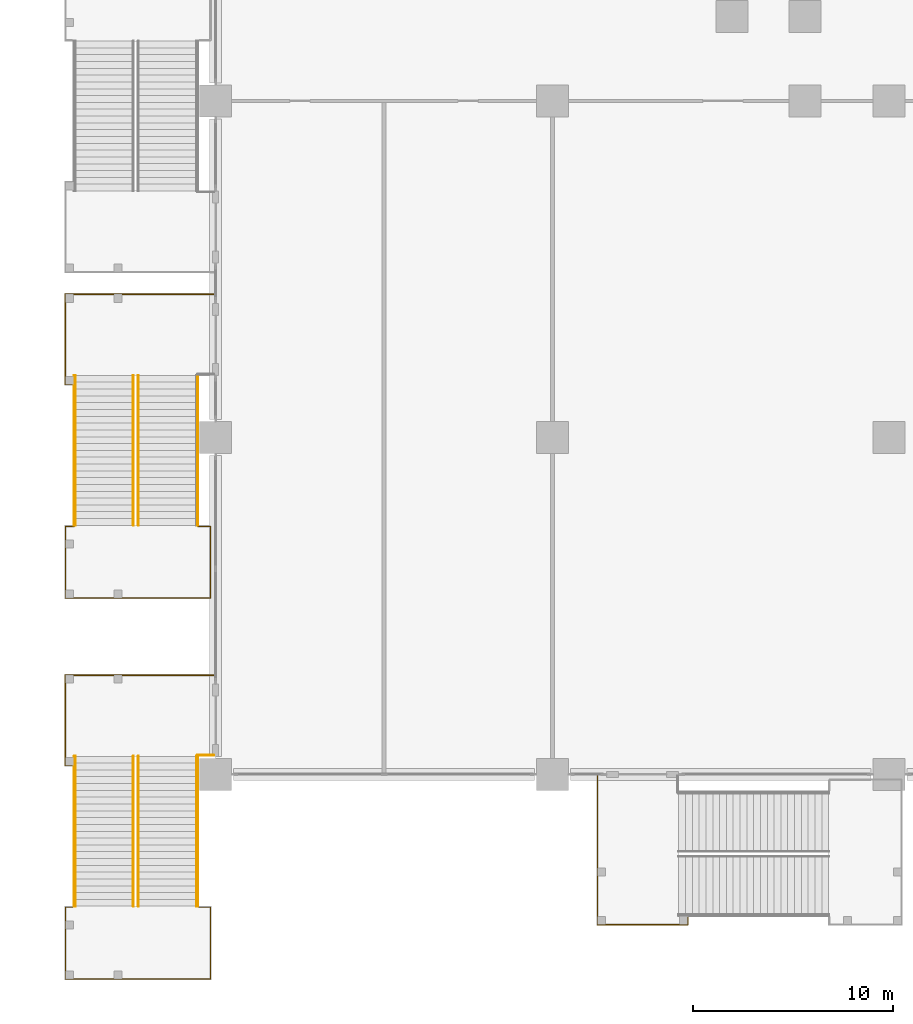
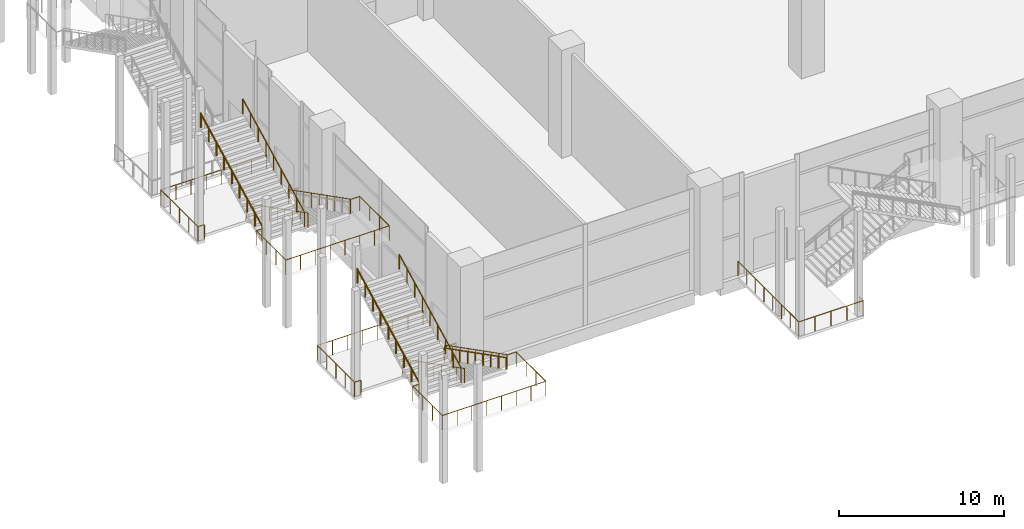
# One storey, part 38 of 52: 17 railings.
"""IFC4 building model written with IfcOpenShell, lengths in metres."""

import ifcopenshell
import ifcopenshell.guid

model = None  # the IFC model being written
_history = None  # IfcOwnerHistory: only IFC2X3 demands one
_inside = {}  # id of a spatial element -> (the spatial element, [elements in it])
_under = {}  # id of a project, library or spatial element -> (it, [spatial elements below it])
_declared = {}  # id of a project -> (the project, [libraries it declares])
_typed = {}  # id of a type object -> (the type object, [elements of that type])
_made_of = {}  # id of a material, layer set ... -> (it, [elements and type objects made of it])


def new_model(schema):
    """Start an empty IFC model of exactly this schema.

    Asked for "IFC4X3", IfcOpenShell would pick the latest addendum, in which some entities
    have other attributes; the version numbers below select the first issue.
    IFC2X3 requires an IfcOwnerHistory on every rooted entity: one is made here for all.
    """
    global model, _history
    if schema == "IFC4X3":
        model = ifcopenshell.file(schema_version=(4, 3, 0, 0))
    else:
        model = ifcopenshell.file(schema=schema)
    _inside.clear()
    _under.clear()
    _declared.clear()
    _typed.clear()
    _made_of.clear()
    _history = None
    if model.schema == "IFC2X3":
        org = make("IfcOrganization", Name="unknown")
        user = make(
            "IfcPersonAndOrganization",
            ThePerson=make("IfcPerson", FamilyName="unknown"),
            TheOrganization=org,
        )
        app = make(
            "IfcApplication",
            ApplicationDeveloper=org,
            Version="unknown",
            ApplicationFullName="unknown",
            ApplicationIdentifier="unknown",
        )
        _history = make(
            "IfcOwnerHistory",
            OwningUser=user,
            OwningApplication=app,
            ChangeAction="ADDED",
            CreationDate=0,
        )
    return model


def make(cls, **values):
    """One entity of the class cls with the attributes given. An attribute that is None is left unset."""
    return model.create_entity(
        cls, **{name: value for name, value in values.items() if value is not None}
    )


def rooted(cls, **values):
    """An entity with a GlobalId (a new one), such as an element, a storey or a relation."""
    return make(cls, GlobalId=ifcopenshell.guid.new(), OwnerHistory=_history, **values)


def si_unit(unit_type, name, prefix=None):
    """IfcSIUnit, for example si_unit("LENGTHUNIT", "METRE", prefix="MILLI")."""
    return make("IfcSIUnit", UnitType=unit_type, Prefix=prefix, Name=name)


def assignment(units):
    """IfcUnitAssignment: the units of a project."""
    return None if units is None else make("IfcUnitAssignment", Units=units)


def point(xyz):
    """IfcCartesianPoint."""
    return None if xyz is None else make("IfcCartesianPoint", Coordinates=xyz)


def direction(xyz):
    """IfcDirection."""
    return None if xyz is None else make("IfcDirection", DirectionRatios=xyz)


def frame(location, z_axis=None, x_axis=None):
    """IfcAxis2Placement3D, a coordinate frame: its origin and axes. An axis left out is left unset."""
    return make(
        "IfcAxis2Placement3D",
        Location=point(location),
        Axis=direction(z_axis),
        RefDirection=direction(x_axis),
    )


def frame_2d(location, x_axis=None):
    """IfcAxis2Placement2D, a coordinate frame in the plane: its origin and x axis."""
    return make(
        "IfcAxis2Placement2D", Location=point(location), RefDirection=direction(x_axis)
    )


def origin():
    """The frame at (0, 0, 0) with its axes left unset."""
    return frame((0.0, 0.0, 0.0))


def origin_2d():
    """The frame at (0, 0) in the plane with its x axis left unset."""
    return frame_2d((0.0, 0.0))


def place(relative_to, where):
    """IfcLocalPlacement: puts the frame where relative to a parent placement (None: the world)."""
    return make(
        "IfcLocalPlacement", PlacementRelTo=relative_to, RelativePlacement=where
    )


def context(
    kind, dimensions, precision=None, world=None, true_north=None, identifier=None
):
    """IfcGeometricRepresentationContext, for example the 3D "Model" context."""
    return make(
        "IfcGeometricRepresentationContext",
        ContextIdentifier=identifier,
        ContextType=kind,
        CoordinateSpaceDimension=dimensions,
        Precision=precision,
        WorldCoordinateSystem=world,
        TrueNorth=true_north,
    )


def subcontext(parent, identifier, kind, view, scale=None):
    """IfcGeometricRepresentationSubContext, for example "Body" below "Model"."""
    return make(
        "IfcGeometricRepresentationSubContext",
        ContextIdentifier=identifier,
        ContextType=kind,
        ParentContext=parent,
        TargetScale=scale,
        TargetView=view,
    )


def project(units=None, contexts=None):
    """IfcProject with its units and contexts."""
    return rooted(
        "IfcProject",
        Name="project",
        RepresentationContexts=contexts,
        UnitsInContext=assignment(units),
    )


def spatial(cls, under=None, at=None, **own):
    """A site, building, storey or space (cls), placed at a placement, below another one or the project."""
    s = rooted(cls, ObjectPlacement=at, **own)
    if under is not None:
        _under.setdefault(under.id(), (under, []))[1].append(s)
    return s


def profile(cls, at=None, kind="AREA", **sizes):
    """A parametric profile (cls). Its sizes go by their IFC names, for example OverallWidth=200.0."""
    return make(cls, ProfileType=kind, Position=at, **sizes)


def circle(**sizes):
    """IfcCircleProfileDef."""
    return profile("IfcCircleProfileDef", **sizes)


def extrude(swept, where, along, depth):
    """IfcExtrudedAreaSolid: the profile swept, set in the frame where, extruded along a direction by depth."""
    return make(
        "IfcExtrudedAreaSolid",
        SweptArea=swept,
        Position=where,
        ExtrudedDirection=direction(along),
        Depth=depth,
    )


def shape(context_of_items, identifier, shape_type, items):
    """IfcShapeRepresentation: the items that make up one representation, for example the "Body"."""
    return make(
        "IfcShapeRepresentation",
        ContextOfItems=context_of_items,
        RepresentationIdentifier=identifier,
        RepresentationType=shape_type,
        Items=items,
    )


def material(Name=None, Category=None):
    """IfcMaterial."""
    return make("IfcMaterial", Name=Name, Category=Category)


def made_of(thing, what):
    """Note that an element or type object is made of a material, layer set ...; save() writes the relation."""
    if what is not None:
        _made_of.setdefault(what.id(), (what, []))[1].append(thing)
    return thing


def type_object(cls, material=None, **own):
    """A type object (cls), such as IfcWallType, which elements share."""
    return made_of(rooted(cls, **own), material)


def element(
    cls,
    number,
    at=None,
    inside=None,
    cuts=None,
    type_object=None,
    material=None,
    context=None,
    identifier="Body",
    shape_type=None,
    held_by="IfcProductDefinitionShape",
    body=None,
    shapes=None,
    **own,
):
    """One element of the class cls, such as IfcWall. Its Tag is "e" and its number.

    at: its placement. inside: the storey or other place that contains it. cuts: it is an
    opening in that element (IfcRelVoidsElement). A single representation is given by context,
    identifier, shape_type and body (its items); several are given by shapes. held_by: the class
    of the entity that holds the representations. save() writes the other relations.
    """
    e = rooted(cls, Tag="e%d" % number, ObjectPlacement=at, **own)
    if body is not None:
        shapes = [shape(context, identifier, shape_type, body)]
    if shapes is not None:
        e.Representation = make(held_by, Representations=shapes)
    if inside is not None:
        _inside.setdefault(inside.id(), (inside, []))[1].append(e)
    if cuts is not None:
        rooted(
            "IfcRelVoidsElement", RelatingBuildingElement=cuts, RelatedOpeningElement=e
        )
    if type_object is not None:
        _typed.setdefault(type_object.id(), (type_object, []))[1].append(e)
    return made_of(e, material)


def aggregate(whole, parts):
    """IfcRelAggregates: a whole, such as a stair, and the parts it consists of."""
    return rooted("IfcRelAggregates", RelatingObject=whole, RelatedObjects=parts)


def save(model, path):
    """Write the relations noted so far, then the file.

    IfcRelAggregates (storeys below a building ...), IfcRelContainedInSpatialStructure (elements
    in a storey), IfcRelDefinesByType, IfcRelAssociatesMaterial and IfcRelDeclares: one each for
    every whole, place, type object, material and project.
    """
    for whole, parts in _under.values():
        aggregate(whole, parts)
    for where, things in _inside.values():
        rooted(
            "IfcRelContainedInSpatialStructure",
            RelatedElements=things,
            RelatingStructure=where,
        )
    for kind, things in _typed.values():
        rooted("IfcRelDefinesByType", RelatedObjects=things, RelatingType=kind)
    for what, things in _made_of.values():
        rooted("IfcRelAssociatesMaterial", RelatedObjects=things, RelatingMaterial=what)
    for by, libraries in _declared.values():
        rooted("IfcRelDeclares", RelatingContext=by, RelatedDefinitions=libraries)
    model.write(path)


model = new_model("IFC4")

# Units and contexts
model_context = context("Model", 3, precision=1e-05, world=origin(), true_north=direction((0.0, 1.0)))
body_context = subcontext(model_context, "Body", "Model", "MODEL_VIEW")
ifc_project = project(units=[si_unit("LENGTHUNIT", "METRE"), si_unit("AREAUNIT", "SQUARE_METRE"), si_unit("VOLUMEUNIT", "CUBIC_METRE"), si_unit("PLANEANGLEUNIT", "RADIAN"), si_unit("MASSUNIT", "GRAM", prefix="KILO")], contexts=[model_context])

# Site, building, storey
site_placement = place(None, origin())
site = spatial("IfcSite", under=ifc_project, at=site_placement, CompositionType="ELEMENT")
building_placement = place(site_placement, origin())
building = spatial("IfcBuilding", under=site, at=building_placement, Name="Candeia Pilgrim Tower and Theatre", CompositionType="ELEMENT")
storey_placement = place(building_placement, frame((0.0, 0.0, 9.0)))
storey = spatial("IfcBuildingStorey", under=building, at=storey_placement, Name="L01", CompositionType="ELEMENT", Elevation=9.0)

# Railings
ifc_material_1 = material(Name="Stainless steel balustrade", Category="steel")
railing_type_1 = type_object("IfcRailingType", Name="RL-GUARD-1100", PredefinedType="GUARDRAIL", material=ifc_material_1)
railing_1_placement = place(storey_placement, frame((77.85009765625, 64.300048828125, 0.0)))
element("IfcRailing", 1, at=railing_1_placement, inside=storey, type_object=railing_type_1, Name="L01 External escape stair ES8 landing guard", PredefinedType="GUARDRAIL", context=body_context, shape_type="SweptSolid", body=[
    extrude(circle(Radius=0.02392578125, at=origin_2d()), frame((0.0, 0.0, 1.076171875), z_axis=(0.0, -1.0, 0.0), x_axis=(1.0, 0.0, 0.0)), (0.0, 0.0, 1.0), 7.400146484375),
    extrude(circle(Radius=0.02392578125, at=origin_2d()), frame((0.0, -7.400146484375, 1.076171875), z_axis=(1.0, 0.0, 0.0), x_axis=(0.0, 1.0, 0.0)), (0.0, 0.0, 1.0), 4.5),
    extrude(circle(Radius=0.02392578125, at=origin_2d()), frame((4.5, -7.400146484375, 1.076171875), z_axis=(0.0, 1.0, 0.0), x_axis=(-1.0, 0.0, 0.0)), (0.0, 0.0, 1.0), 0.4501953125),
    extrude(circle(Radius=0.02099609375, at=origin_2d()), origin(), (0.0, 0.0, 1.0), 1.052001953125),
    extrude(circle(Radius=0.02099609375, at=origin_2d()), frame((0.0, -1.05712890625, 0.0)), (0.0, 0.0, 1.0), 1.052001953125),
    extrude(circle(Radius=0.02099609375, at=origin_2d()), frame((0.0, -2.1142578125, 0.0)), (0.0, 0.0, 1.0), 1.052001953125),
    extrude(circle(Radius=0.02099609375, at=origin_2d()), frame((0.0, -3.17138671875, 0.0)), (0.0, 0.0, 1.0), 1.052001953125),
    extrude(circle(Radius=0.02099609375, at=origin_2d()), frame((0.0, -4.228759765625, 0.0)), (0.0, 0.0, 1.0), 1.052001953125),
    extrude(circle(Radius=0.02099609375, at=origin_2d()), frame((0.0, -5.285888671875, 0.0)), (0.0, 0.0, 1.0), 1.052001953125),
    extrude(circle(Radius=0.02099609375, at=origin_2d()), frame((0.0, -6.343017578125, 0.0)), (0.0, 0.0, 1.0), 1.052001953125),
    extrude(circle(Radius=0.02099609375, at=origin_2d()), frame((0.0, -7.400146484375, 0.0)), (0.0, 0.0, 1.0), 1.052001953125),
    extrude(circle(Radius=0.02099609375, at=origin_2d()), frame((1.125, -7.400146484375, 0.0)), (0.0, 0.0, 1.0), 1.052001953125),
    extrude(circle(Radius=0.02099609375, at=origin_2d()), frame((2.25, -7.400146484375, 0.0)), (0.0, 0.0, 1.0), 1.052001953125),
    extrude(circle(Radius=0.02099609375, at=origin_2d()), frame((3.375, -7.400146484375, 0.0)), (0.0, 0.0, 1.0), 1.052001953125),
    extrude(circle(Radius=0.02099609375, at=origin_2d()), frame((4.5, -7.400146484375, 0.0)), (0.0, 0.0, 1.0), 1.052001953125),
    extrude(circle(Radius=0.02099609375, at=origin_2d()), frame((4.5, -6.949951171875, 0.0)), (0.0, 0.0, 1.0), 1.052001953125),
])
railing_2_placement = place(storey_placement, frame((54.949951171875, 65.300048828125, 0.173828125)))
element("IfcRailing", 2, at=railing_2_placement, inside=storey, type_object=railing_type_1, Name="L01 ES10 stair guard 1", PredefinedType="GUARDRAIL", context=body_context, shape_type="SweptSolid", body=[
    extrude(circle(Radius=0.02392578125, at=origin_2d()), frame((0.0, 0.0, 1.076171875), z_axis=(0.0, -0.890286522184, 0.455400821714), x_axis=(1.0, 0.0, 0.0)), (0.0, 0.0, 1.0), 8.40185546875),
    extrude(circle(Radius=0.02099609375, at=origin_2d()), origin(), (0.0, 0.0, 1.0), 1.052001953125),
    extrude(circle(Radius=0.02099609375, at=origin_2d()), frame((0.0, -0.93505859375, 0.478271484375)), (0.0, 0.0, 1.0), 1.052001953125),
    extrude(circle(Radius=0.02099609375, at=origin_2d()), frame((0.0, -1.8701171875, 0.95654296875)), (0.0, 0.0, 1.0), 1.052001953125),
    extrude(circle(Radius=0.02099609375, at=origin_2d()), frame((0.0, -2.804931640625, 1.434814453125)), (0.0, 0.0, 1.0), 1.052001953125),
    extrude(circle(Radius=0.02099609375, at=origin_2d()), frame((0.0, -3.739990234375, 1.9130859375)), (0.0, 0.0, 1.0), 1.052001953125),
    extrude(circle(Radius=0.02099609375, at=origin_2d()), frame((0.0, -4.675048828125, 2.391357421875)), (0.0, 0.0, 1.0), 1.052001953125),
    extrude(circle(Radius=0.02099609375, at=origin_2d()), frame((0.0, -5.60986328125, 2.86962890625)), (0.0, 0.0, 1.0), 1.052001953125),
    extrude(circle(Radius=0.02099609375, at=origin_2d()), frame((0.0, -6.544921875, 3.347900390625)), (0.0, 0.0, 1.0), 1.052001953125),
    extrude(circle(Radius=0.02099609375, at=origin_2d()), frame((0.0, -7.47998046875, 3.826171875)), (0.0, 0.0, 1.0), 1.052001953125),
])
railing_3_placement = place(storey_placement, frame((54.699951171875, 57.820068359375, 4.173828125)))
element("IfcRailing", 3, at=railing_3_placement, inside=storey, type_object=railing_type_1, Name="L01 ES10 stair guard 2", PredefinedType="GUARDRAIL", context=body_context, shape_type="SweptSolid", body=[
    extrude(circle(Radius=0.02392578125, at=origin_2d()), frame((0.0, 0.0, 1.076171875), z_axis=(0.0, 0.890286522184, 0.455400821714), x_axis=(-1.0, 0.0, 0.0)), (0.0, 0.0, 1.0), 8.40185546875),
    extrude(circle(Radius=0.02099609375, at=origin_2d()), origin(), (0.0, 0.0, 1.0), 1.052001953125),
    extrude(circle(Radius=0.02099609375, at=origin_2d()), frame((0.0, 0.93505859375, 0.478271484375)), (0.0, 0.0, 1.0), 1.052001953125),
    extrude(circle(Radius=0.02099609375, at=origin_2d()), frame((0.0, 1.8701171875, 0.95654296875)), (0.0, 0.0, 1.0), 1.052001953125),
    extrude(circle(Radius=0.02099609375, at=origin_2d()), frame((0.0, 2.804931640625, 1.434814453125)), (0.0, 0.0, 1.0), 1.052001953125),
    extrude(circle(Radius=0.02099609375, at=origin_2d()), frame((0.0, 3.739990234375, 1.9130859375)), (0.0, 0.0, 1.0), 1.052001953125),
    extrude(circle(Radius=0.02099609375, at=origin_2d()), frame((0.0, 4.675048828125, 2.391357421875)), (0.0, 0.0, 1.0), 1.052001953125),
    extrude(circle(Radius=0.02099609375, at=origin_2d()), frame((0.0, 5.60986328125, 2.86962890625)), (0.0, 0.0, 1.0), 1.052001953125),
    extrude(circle(Radius=0.02099609375, at=origin_2d()), frame((0.0, 6.544921875, 3.347900390625)), (0.0, 0.0, 1.0), 1.052001953125),
    extrude(circle(Radius=0.02099609375, at=origin_2d()), frame((0.0, 7.47998046875, 3.826171875)), (0.0, 0.0, 1.0), 1.052001953125),
])
railing_4_placement = place(storey_placement, frame((57.89990234375, 65.300048828125, 0.173828125)))
element("IfcRailing", 4, at=railing_4_placement, inside=storey, type_object=railing_type_1, Name="L01 ES10 stair guard 3", PredefinedType="GUARDRAIL", context=body_context, shape_type="SweptSolid", body=[
    extrude(circle(Radius=0.02392578125, at=origin_2d()), frame((0.0, 0.0, 1.076171875), z_axis=(0.0, -0.890286522184, 0.455400821714), x_axis=(1.0, 0.0, 0.0)), (0.0, 0.0, 1.0), 8.40185546875),
    extrude(circle(Radius=0.02099609375, at=origin_2d()), origin(), (0.0, 0.0, 1.0), 1.052001953125),
    extrude(circle(Radius=0.02099609375, at=origin_2d()), frame((0.0, -0.93505859375, 0.478271484375)), (0.0, 0.0, 1.0), 1.052001953125),
    extrude(circle(Radius=0.02099609375, at=origin_2d()), frame((0.0, -1.8701171875, 0.95654296875)), (0.0, 0.0, 1.0), 1.052001953125),
    extrude(circle(Radius=0.02099609375, at=origin_2d()), frame((0.0, -2.804931640625, 1.434814453125)), (0.0, 0.0, 1.0), 1.052001953125),
    extrude(circle(Radius=0.02099609375, at=origin_2d()), frame((0.0, -3.739990234375, 1.9130859375)), (0.0, 0.0, 1.0), 1.052001953125),
    extrude(circle(Radius=0.02099609375, at=origin_2d()), frame((0.0, -4.675048828125, 2.391357421875)), (0.0, 0.0, 1.0), 1.052001953125),
    extrude(circle(Radius=0.02099609375, at=origin_2d()), frame((0.0, -5.60986328125, 2.86962890625)), (0.0, 0.0, 1.0), 1.052001953125),
    extrude(circle(Radius=0.02099609375, at=origin_2d()), frame((0.0, -6.544921875, 3.347900390625)), (0.0, 0.0, 1.0), 1.052001953125),
    extrude(circle(Radius=0.02099609375, at=origin_2d()), frame((0.0, -7.47998046875, 3.826171875)), (0.0, 0.0, 1.0), 1.052001953125),
])
railing_5_placement = place(storey_placement, frame((51.75, 57.820068359375, 4.173828125)))
element("IfcRailing", 5, at=railing_5_placement, inside=storey, type_object=railing_type_1, Name="L01 ES10 stair guard 4", PredefinedType="GUARDRAIL", context=body_context, shape_type="SweptSolid", body=[
    extrude(circle(Radius=0.02392578125, at=origin_2d()), frame((0.0, 0.0, 1.076171875), z_axis=(0.0, 0.890286522184, 0.455400821714), x_axis=(-1.0, 0.0, 0.0)), (0.0, 0.0, 1.0), 8.40185546875),
    extrude(circle(Radius=0.02099609375, at=origin_2d()), origin(), (0.0, 0.0, 1.0), 1.052001953125),
    extrude(circle(Radius=0.02099609375, at=origin_2d()), frame((0.0, 0.93505859375, 0.478271484375)), (0.0, 0.0, 1.0), 1.052001953125),
    extrude(circle(Radius=0.02099609375, at=origin_2d()), frame((0.0, 1.8701171875, 0.95654296875)), (0.0, 0.0, 1.0), 1.052001953125),
    extrude(circle(Radius=0.02099609375, at=origin_2d()), frame((0.0, 2.804931640625, 1.434814453125)), (0.0, 0.0, 1.0), 1.052001953125),
    extrude(circle(Radius=0.02099609375, at=origin_2d()), frame((0.0, 3.739990234375, 1.9130859375)), (0.0, 0.0, 1.0), 1.052001953125),
    extrude(circle(Radius=0.02099609375, at=origin_2d()), frame((0.0, 4.675048828125, 2.391357421875)), (0.0, 0.0, 1.0), 1.052001953125),
    extrude(circle(Radius=0.02099609375, at=origin_2d()), frame((0.0, 5.60986328125, 2.86962890625)), (0.0, 0.0, 1.0), 1.052001953125),
    extrude(circle(Radius=0.02099609375, at=origin_2d()), frame((0.0, 6.544921875, 3.347900390625)), (0.0, 0.0, 1.0), 1.052001953125),
    extrude(circle(Radius=0.02099609375, at=origin_2d()), frame((0.0, 7.47998046875, 3.826171875)), (0.0, 0.0, 1.0), 1.052001953125),
])
railing_6_placement = place(storey_placement, frame((57.89990234375, 57.77001953125, 4.0)))
element("IfcRailing", 6, at=railing_6_placement, inside=storey, type_object=railing_type_1, Name="L01 ES10 stair guard 5", PredefinedType="GUARDRAIL", context=body_context, shape_type="SweptSolid", body=[
    extrude(circle(Radius=0.02392578125, at=origin_2d()), frame((0.0, 0.0, 1.076171875), z_axis=(1.0, 0.0, 0.0), x_axis=(0.0, 1.0, 0.0)), (0.0, 0.0, 1.0), 0.650146484375),
    extrude(circle(Radius=0.02392578125, at=origin_2d()), frame((0.650146484375, 0.0, 1.076171875), z_axis=(0.0, -1.0, 0.0), x_axis=(1.0, 0.0, 0.0)), (0.0, 0.0, 1.0), 3.580078125),
    extrude(circle(Radius=0.02392578125, at=origin_2d()), frame((0.650146484375, -3.580078125, 1.076171875), z_axis=(-1.0, 0.0, 0.0), x_axis=(0.0, -1.0, 0.0)), (0.0, 0.0, 1.0), 7.25),
    extrude(circle(Radius=0.02392578125, at=origin_2d()), frame((-6.599853515625, -3.580078125, 1.076171875), z_axis=(0.0, 1.0, 0.0), x_axis=(-1.0, 0.0, 0.0)), (0.0, 0.0, 1.0), 3.580078125),
    extrude(circle(Radius=0.02392578125, at=origin_2d()), frame((-6.599853515625, 0.0, 1.076171875), z_axis=(1.0, 0.0, 0.0), x_axis=(0.0, 1.0, 0.0)), (0.0, 0.0, 1.0), 0.449951171875),
    extrude(circle(Radius=0.02099609375, at=origin_2d()), origin(), (0.0, 0.0, 1.0), 1.052001953125),
    extrude(circle(Radius=0.02099609375, at=origin_2d()), frame((0.650146484375, 0.0, 0.0)), (0.0, 0.0, 1.0), 1.052001953125),
    extrude(circle(Radius=0.02099609375, at=origin_2d()), frame((0.650146484375, -1.193359375, 0.0)), (0.0, 0.0, 1.0), 1.052001953125),
    extrude(circle(Radius=0.02099609375, at=origin_2d()), frame((0.650146484375, -2.38671875, 0.0)), (0.0, 0.0, 1.0), 1.052001953125),
    extrude(circle(Radius=0.02099609375, at=origin_2d()), frame((0.650146484375, -3.580078125, 0.0)), (0.0, 0.0, 1.0), 1.052001953125),
    extrude(circle(Radius=0.02099609375, at=origin_2d()), frame((-0.385498046875, -3.580078125, 0.0)), (0.0, 0.0, 1.0), 1.052001953125),
    extrude(circle(Radius=0.02099609375, at=origin_2d()), frame((-1.42138671875, -3.580078125, 0.0)), (0.0, 0.0, 1.0), 1.052001953125),
    extrude(circle(Radius=0.02099609375, at=origin_2d()), frame((-2.45703125, -3.580078125, 0.0)), (0.0, 0.0, 1.0), 1.052001953125),
    extrude(circle(Radius=0.02099609375, at=origin_2d()), frame((-3.49267578125, -3.580078125, 0.0)), (0.0, 0.0, 1.0), 1.052001953125),
    extrude(circle(Radius=0.02099609375, at=origin_2d()), frame((-4.5283203125, -3.580078125, 0.0)), (0.0, 0.0, 1.0), 1.052001953125),
    extrude(circle(Radius=0.02099609375, at=origin_2d()), frame((-5.564208984375, -3.580078125, 0.0)), (0.0, 0.0, 1.0), 1.052001953125),
    extrude(circle(Radius=0.02099609375, at=origin_2d()), frame((-6.599853515625, -3.580078125, 0.0)), (0.0, 0.0, 1.0), 1.052001953125),
    extrude(circle(Radius=0.02099609375, at=origin_2d()), frame((-6.599853515625, -2.38671875, 0.0)), (0.0, 0.0, 1.0), 1.052001953125),
    extrude(circle(Radius=0.02099609375, at=origin_2d()), frame((-6.599853515625, -1.193359375, 0.0)), (0.0, 0.0, 1.0), 1.052001953125),
    extrude(circle(Radius=0.02099609375, at=origin_2d()), frame((-6.599853515625, 0.0, 0.0)), (0.0, 0.0, 1.0), 1.052001953125),
    extrude(circle(Radius=0.02099609375, at=origin_2d()), frame((-6.14990234375, 0.0, 0.0)), (0.0, 0.0, 1.0), 1.052001953125),
])
railing_7_placement = place(storey_placement, frame((58.699951171875, 69.35009765625, 0.0)))
element("IfcRailing", 7, at=railing_7_placement, inside=storey, type_object=railing_type_1, Name="L01 External escape stair ES10 landing guard", PredefinedType="GUARDRAIL", context=body_context, shape_type="SweptSolid", body=[
    extrude(circle(Radius=0.02392578125, at=origin_2d()), frame((0.0, 0.0, 1.076171875), z_axis=(-1.0, 0.0, 0.0), x_axis=(0.0, -1.0, 0.0)), (0.0, 0.0, 1.0), 7.39990234375),
    extrude(circle(Radius=0.02392578125, at=origin_2d()), frame((-7.39990234375, 0.0, 1.076171875), z_axis=(0.0, -1.0, 0.0), x_axis=(1.0, 0.0, 0.0)), (0.0, 0.0, 1.0), 4.5),
    extrude(circle(Radius=0.02392578125, at=origin_2d()), frame((-7.39990234375, -4.5, 1.076171875), z_axis=(1.0, 0.0, 0.0), x_axis=(0.0, 1.0, 0.0)), (0.0, 0.0, 1.0), 0.449951171875),
    extrude(circle(Radius=0.02099609375, at=origin_2d()), origin(), (0.0, 0.0, 1.0), 1.052001953125),
    extrude(circle(Radius=0.02099609375, at=origin_2d()), frame((-1.05712890625, 0.0, 0.0)), (0.0, 0.0, 1.0), 1.052001953125),
    extrude(circle(Radius=0.02099609375, at=origin_2d()), frame((-2.1142578125, 0.0, 0.0)), (0.0, 0.0, 1.0), 1.052001953125),
    extrude(circle(Radius=0.02099609375, at=origin_2d()), frame((-3.17138671875, 0.0, 0.0)), (0.0, 0.0, 1.0), 1.052001953125),
    extrude(circle(Radius=0.02099609375, at=origin_2d()), frame((-4.228515625, 0.0, 0.0)), (0.0, 0.0, 1.0), 1.052001953125),
    extrude(circle(Radius=0.02099609375, at=origin_2d()), frame((-5.28564453125, 0.0, 0.0)), (0.0, 0.0, 1.0), 1.052001953125),
    extrude(circle(Radius=0.02099609375, at=origin_2d()), frame((-6.3427734375, 0.0, 0.0)), (0.0, 0.0, 1.0), 1.052001953125),
    extrude(circle(Radius=0.02099609375, at=origin_2d()), frame((-7.39990234375, 0.0, 0.0)), (0.0, 0.0, 1.0), 1.052001953125),
    extrude(circle(Radius=0.02099609375, at=origin_2d()), frame((-7.39990234375, -1.125, 0.0)), (0.0, 0.0, 1.0), 1.052001953125),
    extrude(circle(Radius=0.02099609375, at=origin_2d()), frame((-7.39990234375, -2.25, 0.0)), (0.0, 0.0, 1.0), 1.052001953125),
    extrude(circle(Radius=0.02099609375, at=origin_2d()), frame((-7.39990234375, -3.375, 0.0)), (0.0, 0.0, 1.0), 1.052001953125),
    extrude(circle(Radius=0.02099609375, at=origin_2d()), frame((-7.39990234375, -4.5, 0.0)), (0.0, 0.0, 1.0), 1.052001953125),
    extrude(circle(Radius=0.02099609375, at=origin_2d()), frame((-6.949951171875, -4.5, 0.0)), (0.0, 0.0, 1.0), 1.052001953125),
])
railing_8_placement = place(storey_placement, frame((58.699951171875, 65.35009765625, 0.0)))
element("IfcRailing", 8, at=railing_8_placement, inside=storey, type_object=railing_type_1, Name="L01 External escape stair ES10 bridge guard", PredefinedType="GUARDRAIL", context=body_context, shape_type="SweptSolid", body=[
    extrude(circle(Radius=0.02392578125, at=origin_2d()), frame((0.0, 0.0, 1.076171875), z_axis=(-1.0, 0.0, 0.0), x_axis=(0.0, -1.0, 0.0)), (0.0, 0.0, 1.0), 0.800048828125),
    extrude(circle(Radius=0.02099609375, at=origin_2d()), origin(), (0.0, 0.0, 1.0), 1.052001953125),
    extrude(circle(Radius=0.02099609375, at=origin_2d()), frame((-0.800048828125, 0.0, 0.0)), (0.0, 0.0, 1.0), 1.052001953125),
])
railing_9_placement = place(storey_placement, frame((54.949951171875, 84.300048828125, 0.173828125)))
element("IfcRailing", 9, at=railing_9_placement, inside=storey, type_object=railing_type_1, Name="L01 ES11 stair guard 1", PredefinedType="GUARDRAIL", context=body_context, shape_type="SweptSolid", body=[
    extrude(circle(Radius=0.02392578125, at=origin_2d()), frame((0.0, 0.0, 1.076171875), z_axis=(0.0, -0.890286522184, 0.455400821714), x_axis=(1.0, 0.0, 0.0)), (0.0, 0.0, 1.0), 8.40185546875),
    extrude(circle(Radius=0.02099609375, at=origin_2d()), origin(), (0.0, 0.0, 1.0), 1.052001953125),
    extrude(circle(Radius=0.02099609375, at=origin_2d()), frame((0.0, -0.93505859375, 0.478271484375)), (0.0, 0.0, 1.0), 1.052001953125),
    extrude(circle(Radius=0.02099609375, at=origin_2d()), frame((0.0, -1.8701171875, 0.95654296875)), (0.0, 0.0, 1.0), 1.052001953125),
    extrude(circle(Radius=0.02099609375, at=origin_2d()), frame((0.0, -2.804931640625, 1.434814453125)), (0.0, 0.0, 1.0), 1.052001953125),
    extrude(circle(Radius=0.02099609375, at=origin_2d()), frame((0.0, -3.739990234375, 1.9130859375)), (0.0, 0.0, 1.0), 1.052001953125),
    extrude(circle(Radius=0.02099609375, at=origin_2d()), frame((0.0, -4.675048828125, 2.391357421875)), (0.0, 0.0, 1.0), 1.052001953125),
    extrude(circle(Radius=0.02099609375, at=origin_2d()), frame((0.0, -5.60986328125, 2.86962890625)), (0.0, 0.0, 1.0), 1.052001953125),
    extrude(circle(Radius=0.02099609375, at=origin_2d()), frame((0.0, -6.544921875, 3.347900390625)), (0.0, 0.0, 1.0), 1.052001953125),
    extrude(circle(Radius=0.02099609375, at=origin_2d()), frame((0.0, -7.47998046875, 3.826171875)), (0.0, 0.0, 1.0), 1.052001953125),
])
railing_10_placement = place(storey_placement, frame((54.699951171875, 76.820068359375, 4.173828125)))
element("IfcRailing", 10, at=railing_10_placement, inside=storey, type_object=railing_type_1, Name="L01 ES11 stair guard 2", PredefinedType="GUARDRAIL", context=body_context, shape_type="SweptSolid", body=[
    extrude(circle(Radius=0.02392578125, at=origin_2d()), frame((0.0, 0.0, 1.076171875), z_axis=(0.0, 0.890286522184, 0.455400821714), x_axis=(-1.0, 0.0, 0.0)), (0.0, 0.0, 1.0), 8.40185546875),
    extrude(circle(Radius=0.02099609375, at=origin_2d()), origin(), (0.0, 0.0, 1.0), 1.052001953125),
    extrude(circle(Radius=0.02099609375, at=origin_2d()), frame((0.0, 0.93505859375, 0.478271484375)), (0.0, 0.0, 1.0), 1.052001953125),
    extrude(circle(Radius=0.02099609375, at=origin_2d()), frame((0.0, 1.8701171875, 0.95654296875)), (0.0, 0.0, 1.0), 1.052001953125),
    extrude(circle(Radius=0.02099609375, at=origin_2d()), frame((0.0, 2.804931640625, 1.434814453125)), (0.0, 0.0, 1.0), 1.052001953125),
    extrude(circle(Radius=0.02099609375, at=origin_2d()), frame((0.0, 3.739990234375, 1.9130859375)), (0.0, 0.0, 1.0), 1.052001953125),
    extrude(circle(Radius=0.02099609375, at=origin_2d()), frame((0.0, 4.675048828125, 2.391357421875)), (0.0, 0.0, 1.0), 1.052001953125),
    extrude(circle(Radius=0.02099609375, at=origin_2d()), frame((0.0, 5.60986328125, 2.86962890625)), (0.0, 0.0, 1.0), 1.052001953125),
    extrude(circle(Radius=0.02099609375, at=origin_2d()), frame((0.0, 6.544921875, 3.347900390625)), (0.0, 0.0, 1.0), 1.052001953125),
    extrude(circle(Radius=0.02099609375, at=origin_2d()), frame((0.0, 7.47998046875, 3.826171875)), (0.0, 0.0, 1.0), 1.052001953125),
])
railing_11_placement = place(storey_placement, frame((57.89990234375, 84.300048828125, 0.173828125)))
element("IfcRailing", 11, at=railing_11_placement, inside=storey, type_object=railing_type_1, Name="L01 ES11 stair guard 3", PredefinedType="GUARDRAIL", context=body_context, shape_type="SweptSolid", body=[
    extrude(circle(Radius=0.02392578125, at=origin_2d()), frame((0.0, 0.0, 1.076171875), z_axis=(0.0, -0.890286522184, 0.455400821714), x_axis=(1.0, 0.0, 0.0)), (0.0, 0.0, 1.0), 8.40185546875),
    extrude(circle(Radius=0.02099609375, at=origin_2d()), origin(), (0.0, 0.0, 1.0), 1.052001953125),
    extrude(circle(Radius=0.02099609375, at=origin_2d()), frame((0.0, -0.93505859375, 0.478271484375)), (0.0, 0.0, 1.0), 1.052001953125),
    extrude(circle(Radius=0.02099609375, at=origin_2d()), frame((0.0, -1.8701171875, 0.95654296875)), (0.0, 0.0, 1.0), 1.052001953125),
    extrude(circle(Radius=0.02099609375, at=origin_2d()), frame((0.0, -2.804931640625, 1.434814453125)), (0.0, 0.0, 1.0), 1.052001953125),
    extrude(circle(Radius=0.02099609375, at=origin_2d()), frame((0.0, -3.739990234375, 1.9130859375)), (0.0, 0.0, 1.0), 1.052001953125),
    extrude(circle(Radius=0.02099609375, at=origin_2d()), frame((0.0, -4.675048828125, 2.391357421875)), (0.0, 0.0, 1.0), 1.052001953125),
    extrude(circle(Radius=0.02099609375, at=origin_2d()), frame((0.0, -5.60986328125, 2.86962890625)), (0.0, 0.0, 1.0), 1.052001953125),
    extrude(circle(Radius=0.02099609375, at=origin_2d()), frame((0.0, -6.544921875, 3.347900390625)), (0.0, 0.0, 1.0), 1.052001953125),
    extrude(circle(Radius=0.02099609375, at=origin_2d()), frame((0.0, -7.47998046875, 3.826171875)), (0.0, 0.0, 1.0), 1.052001953125),
])
railing_12_placement = place(storey_placement, frame((51.75, 76.820068359375, 4.173828125)))
element("IfcRailing", 12, at=railing_12_placement, inside=storey, type_object=railing_type_1, Name="L01 ES11 stair guard 4", PredefinedType="GUARDRAIL", context=body_context, shape_type="SweptSolid", body=[
    extrude(circle(Radius=0.02392578125, at=origin_2d()), frame((0.0, 0.0, 1.076171875), z_axis=(0.0, 0.890286522184, 0.455400821714), x_axis=(-1.0, 0.0, 0.0)), (0.0, 0.0, 1.0), 8.40185546875),
    extrude(circle(Radius=0.02099609375, at=origin_2d()), origin(), (0.0, 0.0, 1.0), 1.052001953125),
    extrude(circle(Radius=0.02099609375, at=origin_2d()), frame((0.0, 0.93505859375, 0.478271484375)), (0.0, 0.0, 1.0), 1.052001953125),
    extrude(circle(Radius=0.02099609375, at=origin_2d()), frame((0.0, 1.8701171875, 0.95654296875)), (0.0, 0.0, 1.0), 1.052001953125),
    extrude(circle(Radius=0.02099609375, at=origin_2d()), frame((0.0, 2.804931640625, 1.434814453125)), (0.0, 0.0, 1.0), 1.052001953125),
    extrude(circle(Radius=0.02099609375, at=origin_2d()), frame((0.0, 3.739990234375, 1.9130859375)), (0.0, 0.0, 1.0), 1.052001953125),
    extrude(circle(Radius=0.02099609375, at=origin_2d()), frame((0.0, 4.675048828125, 2.391357421875)), (0.0, 0.0, 1.0), 1.052001953125),
    extrude(circle(Radius=0.02099609375, at=origin_2d()), frame((0.0, 5.60986328125, 2.86962890625)), (0.0, 0.0, 1.0), 1.052001953125),
    extrude(circle(Radius=0.02099609375, at=origin_2d()), frame((0.0, 6.544921875, 3.347900390625)), (0.0, 0.0, 1.0), 1.052001953125),
    extrude(circle(Radius=0.02099609375, at=origin_2d()), frame((0.0, 7.47998046875, 3.826171875)), (0.0, 0.0, 1.0), 1.052001953125),
])
railing_13_placement = place(storey_placement, frame((57.89990234375, 76.77001953125, 4.0)))
element("IfcRailing", 13, at=railing_13_placement, inside=storey, type_object=railing_type_1, Name="L01 ES11 stair guard 5", PredefinedType="GUARDRAIL", context=body_context, shape_type="SweptSolid", body=[
    extrude(circle(Radius=0.02392578125, at=origin_2d()), frame((0.0, 0.0, 1.076171875), z_axis=(1.0, 0.0, 0.0), x_axis=(0.0, 1.0, 0.0)), (0.0, 0.0, 1.0), 0.650146484375),
    extrude(circle(Radius=0.02392578125, at=origin_2d()), frame((0.650146484375, 0.0, 1.076171875), z_axis=(0.0, -1.0, 0.0), x_axis=(1.0, 0.0, 0.0)), (0.0, 0.0, 1.0), 3.580078125),
    extrude(circle(Radius=0.02392578125, at=origin_2d()), frame((0.650146484375, -3.580078125, 1.076171875), z_axis=(-1.0, 0.0, 0.0), x_axis=(0.0, -1.0, 0.0)), (0.0, 0.0, 1.0), 7.25),
    extrude(circle(Radius=0.02392578125, at=origin_2d()), frame((-6.599853515625, -3.580078125, 1.076171875), z_axis=(0.0, 1.0, 0.0), x_axis=(-1.0, 0.0, 0.0)), (0.0, 0.0, 1.0), 3.580078125),
    extrude(circle(Radius=0.02392578125, at=origin_2d()), frame((-6.599853515625, 0.0, 1.076171875), z_axis=(1.0, 0.0, 0.0), x_axis=(0.0, 1.0, 0.0)), (0.0, 0.0, 1.0), 0.449951171875),
    extrude(circle(Radius=0.02099609375, at=origin_2d()), origin(), (0.0, 0.0, 1.0), 1.052001953125),
    extrude(circle(Radius=0.02099609375, at=origin_2d()), frame((0.650146484375, 0.0, 0.0)), (0.0, 0.0, 1.0), 1.052001953125),
    extrude(circle(Radius=0.02099609375, at=origin_2d()), frame((0.650146484375, -1.193359375, 0.0)), (0.0, 0.0, 1.0), 1.052001953125),
    extrude(circle(Radius=0.02099609375, at=origin_2d()), frame((0.650146484375, -2.38671875, 0.0)), (0.0, 0.0, 1.0), 1.052001953125),
    extrude(circle(Radius=0.02099609375, at=origin_2d()), frame((0.650146484375, -3.580078125, 0.0)), (0.0, 0.0, 1.0), 1.052001953125),
    extrude(circle(Radius=0.02099609375, at=origin_2d()), frame((-0.385498046875, -3.580078125, 0.0)), (0.0, 0.0, 1.0), 1.052001953125),
    extrude(circle(Radius=0.02099609375, at=origin_2d()), frame((-1.42138671875, -3.580078125, 0.0)), (0.0, 0.0, 1.0), 1.052001953125),
    extrude(circle(Radius=0.02099609375, at=origin_2d()), frame((-2.45703125, -3.580078125, 0.0)), (0.0, 0.0, 1.0), 1.052001953125),
    extrude(circle(Radius=0.02099609375, at=origin_2d()), frame((-3.49267578125, -3.580078125, 0.0)), (0.0, 0.0, 1.0), 1.052001953125),
    extrude(circle(Radius=0.02099609375, at=origin_2d()), frame((-4.5283203125, -3.580078125, 0.0)), (0.0, 0.0, 1.0), 1.052001953125),
    extrude(circle(Radius=0.02099609375, at=origin_2d()), frame((-5.564208984375, -3.580078125, 0.0)), (0.0, 0.0, 1.0), 1.052001953125),
    extrude(circle(Radius=0.02099609375, at=origin_2d()), frame((-6.599853515625, -3.580078125, 0.0)), (0.0, 0.0, 1.0), 1.052001953125),
    extrude(circle(Radius=0.02099609375, at=origin_2d()), frame((-6.599853515625, -2.38671875, 0.0)), (0.0, 0.0, 1.0), 1.052001953125),
    extrude(circle(Radius=0.02099609375, at=origin_2d()), frame((-6.599853515625, -1.193359375, 0.0)), (0.0, 0.0, 1.0), 1.052001953125),
    extrude(circle(Radius=0.02099609375, at=origin_2d()), frame((-6.599853515625, 0.0, 0.0)), (0.0, 0.0, 1.0), 1.052001953125),
    extrude(circle(Radius=0.02099609375, at=origin_2d()), frame((-6.14990234375, 0.0, 0.0)), (0.0, 0.0, 1.0), 1.052001953125),
])
railing_14_placement = place(storey_placement, frame((58.699951171875, 88.35009765625, 0.0)))
element("IfcRailing", 14, at=railing_14_placement, inside=storey, type_object=railing_type_1, Name="L01 External escape stair ES11 landing guard", PredefinedType="GUARDRAIL", context=body_context, shape_type="SweptSolid", body=[
    extrude(circle(Radius=0.02392578125, at=origin_2d()), frame((0.0, 0.0, 1.076171875), z_axis=(-1.0, 0.0, 0.0), x_axis=(0.0, -1.0, 0.0)), (0.0, 0.0, 1.0), 7.39990234375),
    extrude(circle(Radius=0.02392578125, at=origin_2d()), frame((-7.39990234375, 0.0, 1.076171875), z_axis=(0.0, -1.0, 0.0), x_axis=(1.0, 0.0, 0.0)), (0.0, 0.0, 1.0), 4.5),
    extrude(circle(Radius=0.02392578125, at=origin_2d()), frame((-7.39990234375, -4.5, 1.076171875), z_axis=(1.0, 0.0, 0.0), x_axis=(0.0, 1.0, 0.0)), (0.0, 0.0, 1.0), 0.449951171875),
    extrude(circle(Radius=0.02099609375, at=origin_2d()), origin(), (0.0, 0.0, 1.0), 1.052001953125),
    extrude(circle(Radius=0.02099609375, at=origin_2d()), frame((-1.05712890625, 0.0, 0.0)), (0.0, 0.0, 1.0), 1.052001953125),
    extrude(circle(Radius=0.02099609375, at=origin_2d()), frame((-2.1142578125, 0.0, 0.0)), (0.0, 0.0, 1.0), 1.052001953125),
    extrude(circle(Radius=0.02099609375, at=origin_2d()), frame((-3.17138671875, 0.0, 0.0)), (0.0, 0.0, 1.0), 1.052001953125),
    extrude(circle(Radius=0.02099609375, at=origin_2d()), frame((-4.228515625, 0.0, 0.0)), (0.0, 0.0, 1.0), 1.052001953125),
    extrude(circle(Radius=0.02099609375, at=origin_2d()), frame((-5.28564453125, 0.0, 0.0)), (0.0, 0.0, 1.0), 1.052001953125),
    extrude(circle(Radius=0.02099609375, at=origin_2d()), frame((-6.3427734375, 0.0, 0.0)), (0.0, 0.0, 1.0), 1.052001953125),
    extrude(circle(Radius=0.02099609375, at=origin_2d()), frame((-7.39990234375, 0.0, 0.0)), (0.0, 0.0, 1.0), 1.052001953125),
    extrude(circle(Radius=0.02099609375, at=origin_2d()), frame((-7.39990234375, -1.125, 0.0)), (0.0, 0.0, 1.0), 1.052001953125),
    extrude(circle(Radius=0.02099609375, at=origin_2d()), frame((-7.39990234375, -2.25, 0.0)), (0.0, 0.0, 1.0), 1.052001953125),
    extrude(circle(Radius=0.02099609375, at=origin_2d()), frame((-7.39990234375, -3.375, 0.0)), (0.0, 0.0, 1.0), 1.052001953125),
    extrude(circle(Radius=0.02099609375, at=origin_2d()), frame((-7.39990234375, -4.5, 0.0)), (0.0, 0.0, 1.0), 1.052001953125),
    extrude(circle(Radius=0.02099609375, at=origin_2d()), frame((-6.949951171875, -4.5, 0.0)), (0.0, 0.0, 1.0), 1.052001953125),
])
ifc_material_2 = material(Name="Stainless steel handrail", Category="steel")
railing_type_2 = type_object("IfcRailingType", Name="RL-HANDRAIL-900", PredefinedType="HANDRAIL", material=ifc_material_2)
railing_15_placement = place(storey_placement, frame((57.85009765625, 65.300048828125, 0.173828125)))
element("IfcRailing", 15, at=railing_15_placement, inside=storey, type_object=railing_type_2, Name="L01 ES10 stair handrail 1", PredefinedType="HANDRAIL", context=body_context, shape_type="SweptSolid", body=[
    extrude(circle(Radius=0.02392578125, at=origin_2d()), frame((0.0, 0.0, 0.8759765625), z_axis=(0.0, -0.890286522184, 0.455400821714), x_axis=(1.0, 0.0, 0.0)), (0.0, 0.0, 1.0), 8.40185546875),
    extrude(circle(Radius=0.02099609375, at=origin_2d()), origin(), (0.0, 0.0, 1.0), 0.851806640625),
    extrude(circle(Radius=0.02099609375, at=origin_2d()), frame((0.0, -0.93505859375, 0.478271484375)), (0.0, 0.0, 1.0), 0.851806640625),
    extrude(circle(Radius=0.02099609375, at=origin_2d()), frame((0.0, -1.8701171875, 0.95654296875)), (0.0, 0.0, 1.0), 0.851806640625),
    extrude(circle(Radius=0.02099609375, at=origin_2d()), frame((0.0, -2.804931640625, 1.434814453125)), (0.0, 0.0, 1.0), 0.851806640625),
    extrude(circle(Radius=0.02099609375, at=origin_2d()), frame((0.0, -3.739990234375, 1.9130859375)), (0.0, 0.0, 1.0), 0.851806640625),
    extrude(circle(Radius=0.02099609375, at=origin_2d()), frame((0.0, -4.675048828125, 2.391357421875)), (0.0, 0.0, 1.0), 0.851806640625),
    extrude(circle(Radius=0.02099609375, at=origin_2d()), frame((0.0, -5.60986328125, 2.86962890625)), (0.0, 0.0, 1.0), 0.851806640625),
    extrude(circle(Radius=0.02099609375, at=origin_2d()), frame((0.0, -6.544921875, 3.347900390625)), (0.0, 0.0, 1.0), 0.851806640625),
    extrude(circle(Radius=0.02099609375, at=origin_2d()), frame((0.0, -7.47998046875, 3.826171875)), (0.0, 0.0, 1.0), 0.851806640625),
])
for number, where, name in (
    (16, (51.800048828125, 57.820068359375, 4.173828125), "L01 ES10 stair handrail 2"),
    (17, (51.800048828125, 76.820068359375, 4.173828125), "L01 ES11 stair handrail 2"),
):
    element("IfcRailing", number, at=place(storey_placement, frame(where)), inside=storey, type_object=railing_type_2, Name=name, PredefinedType="HANDRAIL", context=body_context, shape_type="SweptSolid", body=[
        extrude(circle(Radius=0.02392578125, at=origin_2d()), frame((0.0, 0.0, 0.8759765625), z_axis=(0.0, 0.890286522184, 0.455400821714), x_axis=(-1.0, 0.0, 0.0)), (0.0, 0.0, 1.0), 8.40185546875),
        extrude(circle(Radius=0.02099609375, at=origin_2d()), origin(), (0.0, 0.0, 1.0), 0.851806640625),
        extrude(circle(Radius=0.02099609375, at=origin_2d()), frame((0.0, 0.93505859375, 0.478271484375)), (0.0, 0.0, 1.0), 0.851806640625),
        extrude(circle(Radius=0.02099609375, at=origin_2d()), frame((0.0, 1.8701171875, 0.95654296875)), (0.0, 0.0, 1.0), 0.851806640625),
        extrude(circle(Radius=0.02099609375, at=origin_2d()), frame((0.0, 2.804931640625, 1.434814453125)), (0.0, 0.0, 1.0), 0.851806640625),
        extrude(circle(Radius=0.02099609375, at=origin_2d()), frame((0.0, 3.739990234375, 1.9130859375)), (0.0, 0.0, 1.0), 0.851806640625),
        extrude(circle(Radius=0.02099609375, at=origin_2d()), frame((0.0, 4.675048828125, 2.391357421875)), (0.0, 0.0, 1.0), 0.851806640625),
        extrude(circle(Radius=0.02099609375, at=origin_2d()), frame((0.0, 5.60986328125, 2.86962890625)), (0.0, 0.0, 1.0), 0.851806640625),
        extrude(circle(Radius=0.02099609375, at=origin_2d()), frame((0.0, 6.544921875, 3.347900390625)), (0.0, 0.0, 1.0), 0.851806640625),
        extrude(circle(Radius=0.02099609375, at=origin_2d()), frame((0.0, 7.47998046875, 3.826171875)), (0.0, 0.0, 1.0), 0.851806640625),
    ])

save(model, "model.ifc")
